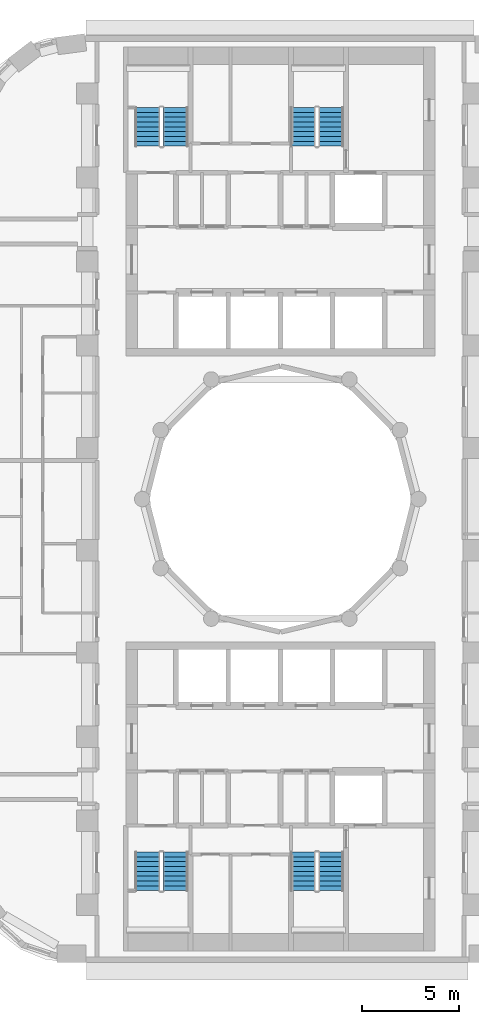
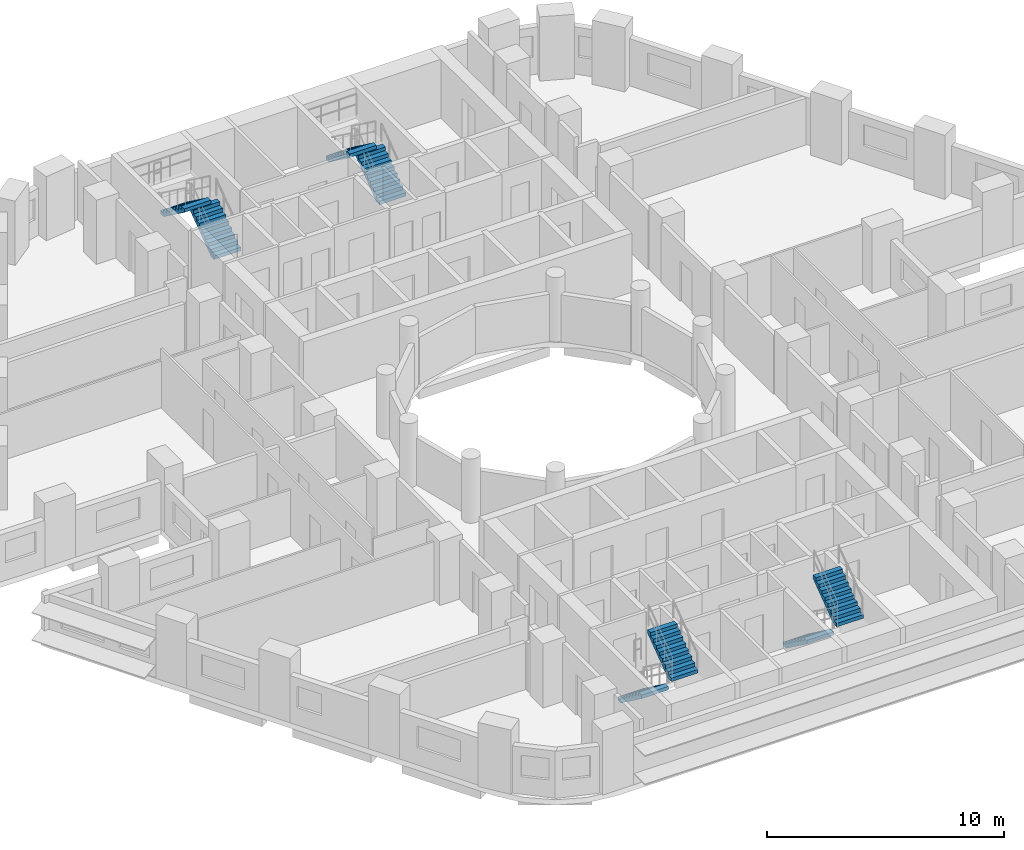
# One storey, part 9 of 12: 8 stair flights, 4 elements without a shape of their own.
"""IFC4 building model written with IfcOpenShell, lengths in metres."""

from ifc_helpers import new_model, si_unit, direction, frame, origin, place, context, subcontext, project, spatial, polyline, outline, extrude, material, type_object, element, aggregate, save


model = new_model("IFC4")

# Units and contexts
model_context = context("Model", 3, precision=1e-05, world=origin(), true_north=direction((0.0, 1.0)))
body_context = subcontext(model_context, "Body", "Model", "MODEL_VIEW")
ifc_project = project(units=[si_unit("LENGTHUNIT", "METRE"), si_unit("AREAUNIT", "SQUARE_METRE"), si_unit("VOLUMEUNIT", "CUBIC_METRE"), si_unit("PLANEANGLEUNIT", "RADIAN"), si_unit("MASSUNIT", "GRAM", prefix="KILO")], contexts=[model_context])

# Site, building, storey
site_placement = place(None, origin())
site = spatial("IfcSite", under=ifc_project, at=site_placement, CompositionType="ELEMENT")
building_placement = place(site_placement, origin())
building = spatial("IfcBuilding", under=site, at=building_placement, Name="Nakaniwa Court", CompositionType="ELEMENT")
storey_placement = place(building_placement, frame((0.0, 0.0, 51.300048828125)))
storey = spatial("IfcBuildingStorey", under=building, at=storey_placement, Name="L13", CompositionType="ELEMENT", Elevation=51.300048828125)

# Stair, stair flights
ifc_material = material(Name="Concrete C80/100", Category="concrete")
stair_type = type_object("IfcStairType", Name="Dog leg stair 1300 wide 18 risers", PredefinedType="HALF_TURN_STAIR", material=ifc_material)
stair_1_placement = place(storey_placement, origin())
stair_1 = element("IfcStair", 1, at=stair_1_placement, inside=storey, type_object=stair_type, Name="L13 Stair ST1", PredefinedType="HALF_TURN_STAIR")
stair_flight_type = type_object("IfcStairFlightType", Name="Stair flight 1300 wide 9 risers", PredefinedType="STRAIGHT", material=ifc_material)
stair_flight_1_placement = place(storey_placement, frame((74.574951171875, 98.27490234375, 0.0), z_axis=(0.0, 0.0, 1.0), x_axis=(0.0, 1.0, 0.0)))
stair_flight_1 = element("IfcStairFlight", 2, at=stair_flight_1_placement, type_object=stair_flight_type, Name="ST1 flight 1", NumberOfRisers=9, NumberOfTreads=8, PredefinedType="STRAIGHT", RiserHeight=0.183333333, TreadLength=0.25, context=body_context, shape_type="SweptSolid", body=[
    extrude(outline(polyline([(0.0, 0.0), (0.0, 0.026123046875), (0.0, 0.052490234375), (0.0, 0.07861328125), (0.0, 0.104736328125), (0.0, 0.130859375), (0.0, 0.1572265625), (0.0, 0.183349609375), (0.25, 0.183349609375), (0.25, 0.36669921875), (0.5, 0.36669921875), (0.5, 0.550048828125), (0.75, 0.550048828125), (0.75, 0.7333984375), (1.0, 0.7333984375), (1.0, 0.916748046875), (1.25, 0.916748046875), (1.25, 1.10009765625), (1.5, 1.10009765625), (1.5, 1.283447265625), (1.75, 1.283447265625), (1.75, 1.466552734375), (2.0, 1.466552734375), (2.0, 1.64990234375), (2.0, 1.59716796875), (2.0, 1.54443359375), (2.0, 1.49169921875), (2.0, 1.43896484375), (2.0, 1.38623046875), (2.0, 1.33349609375), (2.0, 1.28076171875), (0.25341796875, 0.0), (0.0, 0.0)])), frame((0.0, 0.64990234375, 0.0), z_axis=(0.0, -1.0, 0.0), x_axis=(1.0, 0.0, 0.0)), (0.0, 0.0, 1.0), 1.300048828125),
])
stair_flight_2_placement = place(storey_placement, frame((73.125, 100.27490234375, 1.64990234375), z_axis=(0.0, 0.0, 1.0), x_axis=(0.0, -1.0, 0.0)))
stair_flight_2 = element("IfcStairFlight", 3, at=stair_flight_2_placement, type_object=stair_flight_type, Name="ST1 flight 2", NumberOfRisers=9, NumberOfTreads=8, PredefinedType="STRAIGHT", RiserHeight=0.183333333, TreadLength=0.25, context=body_context, shape_type="SweptSolid", body=[
    extrude(outline(polyline([(0.0, 0.0), (0.0, 0.026123046875), (0.0, 0.052490234375), (0.0, 0.07861328125), (0.0, 0.104736328125), (0.0, 0.130859375), (0.0, 0.1572265625), (0.0, 0.183349609375), (0.25, 0.183349609375), (0.25, 0.36669921875), (0.5, 0.36669921875), (0.5, 0.550048828125), (0.75, 0.550048828125), (0.75, 0.7333984375), (1.0, 0.7333984375), (1.0, 0.916748046875), (1.25, 0.916748046875), (1.25, 1.10009765625), (1.5, 1.10009765625), (1.5, 1.283447265625), (1.75, 1.283447265625), (1.75, 1.466552734375), (2.0, 1.466552734375), (2.0, 1.64990234375), (2.0, 1.59716796875), (2.0, 1.54443359375), (2.0, 1.49169921875), (2.0, 1.43896484375), (2.0, 1.38623046875), (2.0, 1.33349609375), (2.0, 1.28076171875), (0.25341796875, 0.0), (0.0, 0.0)])), frame((0.0, 0.64990234375, 0.0), z_axis=(0.0, -1.0, 0.0), x_axis=(1.0, 0.0, 0.0)), (0.0, 0.0, 1.0), 1.300048828125),
])
aggregate(stair_1, [stair_flight_1, stair_flight_2])

stair_2_placement = place(storey_placement, origin())
stair_2 = element("IfcStair", 4, at=stair_2_placement, inside=storey, type_object=stair_type, Name="L13 Stair ST2", PredefinedType="HALF_TURN_STAIR")
stair_flight_3_placement = place(storey_placement, frame((82.625, 98.27490234375, 0.0), z_axis=(0.0, 0.0, 1.0), x_axis=(0.0, 1.0, 0.0)))
stair_flight_3 = element("IfcStairFlight", 5, at=stair_flight_3_placement, type_object=stair_flight_type, Name="ST2 flight 1", NumberOfRisers=9, NumberOfTreads=8, PredefinedType="STRAIGHT", RiserHeight=0.183333333, TreadLength=0.25, context=body_context, shape_type="SweptSolid", body=[
    extrude(outline(polyline([(0.0, 0.0), (0.0, 0.026123046875), (0.0, 0.052490234375), (0.0, 0.07861328125), (0.0, 0.104736328125), (0.0, 0.130859375), (0.0, 0.1572265625), (0.0, 0.183349609375), (0.25, 0.183349609375), (0.25, 0.36669921875), (0.5, 0.36669921875), (0.5, 0.550048828125), (0.75, 0.550048828125), (0.75, 0.7333984375), (1.0, 0.7333984375), (1.0, 0.916748046875), (1.25, 0.916748046875), (1.25, 1.10009765625), (1.5, 1.10009765625), (1.5, 1.283447265625), (1.75, 1.283447265625), (1.75, 1.466552734375), (2.0, 1.466552734375), (2.0, 1.64990234375), (2.0, 1.59716796875), (2.0, 1.54443359375), (2.0, 1.49169921875), (2.0, 1.43896484375), (2.0, 1.38623046875), (2.0, 1.33349609375), (2.0, 1.28076171875), (0.25341796875, 0.0), (0.0, 0.0)])), frame((0.0, 0.64990234375, 0.0), z_axis=(0.0, -1.0, 0.0), x_axis=(1.0, 0.0, 0.0)), (0.0, 0.0, 1.0), 1.300048828125),
])
stair_flight_4_placement = place(storey_placement, frame((81.175048828125, 100.27490234375, 1.64990234375), z_axis=(0.0, 0.0, 1.0), x_axis=(0.0, -1.0, 0.0)))
stair_flight_4 = element("IfcStairFlight", 6, at=stair_flight_4_placement, type_object=stair_flight_type, Name="ST2 flight 2", NumberOfRisers=9, NumberOfTreads=8, PredefinedType="STRAIGHT", RiserHeight=0.183333333, TreadLength=0.25, context=body_context, shape_type="SweptSolid", body=[
    extrude(outline(polyline([(0.0, 0.0), (0.0, 0.026123046875), (0.0, 0.052490234375), (0.0, 0.07861328125), (0.0, 0.104736328125), (0.0, 0.130859375), (0.0, 0.1572265625), (0.0, 0.183349609375), (0.25, 0.183349609375), (0.25, 0.36669921875), (0.5, 0.36669921875), (0.5, 0.550048828125), (0.75, 0.550048828125), (0.75, 0.7333984375), (1.0, 0.7333984375), (1.0, 0.916748046875), (1.25, 0.916748046875), (1.25, 1.10009765625), (1.5, 1.10009765625), (1.5, 1.283447265625), (1.75, 1.283447265625), (1.75, 1.466552734375), (2.0, 1.466552734375), (2.0, 1.64990234375), (2.0, 1.59716796875), (2.0, 1.54443359375), (2.0, 1.49169921875), (2.0, 1.43896484375), (2.0, 1.38623046875), (2.0, 1.33349609375), (2.0, 1.28076171875), (0.25341796875, 0.0), (0.0, 0.0)])), frame((0.0, 0.64990234375, 0.0), z_axis=(0.0, -1.0, 0.0), x_axis=(1.0, 0.0, 0.0)), (0.0, 0.0, 1.0), 1.300048828125),
])
aggregate(stair_2, [stair_flight_3, stair_flight_4])

stair_3_placement = place(storey_placement, origin())
stair_3 = element("IfcStair", 7, at=stair_3_placement, inside=storey, type_object=stair_type, Name="L13 Stair ST3", PredefinedType="HALF_TURN_STAIR")
stair_flight_5_placement = place(storey_placement, frame((73.125, 61.72509765625, 0.0), z_axis=(0.0, 0.0, 1.0), x_axis=(0.0, -1.0, 0.0)))
stair_flight_5 = element("IfcStairFlight", 8, at=stair_flight_5_placement, type_object=stair_flight_type, Name="ST3 flight 1", NumberOfRisers=9, NumberOfTreads=8, PredefinedType="STRAIGHT", RiserHeight=0.183333333, TreadLength=0.25, context=body_context, shape_type="SweptSolid", body=[
    extrude(outline(polyline([(0.0, 0.0), (0.0, 0.026123046875), (0.0, 0.052490234375), (0.0, 0.07861328125), (0.0, 0.104736328125), (0.0, 0.130859375), (0.0, 0.1572265625), (0.0, 0.183349609375), (0.25, 0.183349609375), (0.25, 0.36669921875), (0.5, 0.36669921875), (0.5, 0.550048828125), (0.75, 0.550048828125), (0.75, 0.7333984375), (1.0, 0.7333984375), (1.0, 0.916748046875), (1.25, 0.916748046875), (1.25, 1.10009765625), (1.5, 1.10009765625), (1.5, 1.283447265625), (1.75, 1.283447265625), (1.75, 1.466552734375), (2.0, 1.466552734375), (2.0, 1.64990234375), (2.0, 1.59716796875), (2.0, 1.54443359375), (2.0, 1.49169921875), (2.0, 1.43896484375), (2.0, 1.38623046875), (2.0, 1.33349609375), (2.0, 1.28076171875), (0.25341796875, 0.0), (0.0, 0.0)])), frame((0.0, 0.64990234375, 0.0), z_axis=(0.0, -1.0, 0.0), x_axis=(1.0, 0.0, 0.0)), (0.0, 0.0, 1.0), 1.300048828125),
])
stair_flight_6_placement = place(storey_placement, frame((74.574951171875, 59.72509765625, 1.64990234375), z_axis=(0.0, 0.0, 1.0), x_axis=(0.0, 1.0, 0.0)))
stair_flight_6 = element("IfcStairFlight", 9, at=stair_flight_6_placement, type_object=stair_flight_type, Name="ST3 flight 2", NumberOfRisers=9, NumberOfTreads=8, PredefinedType="STRAIGHT", RiserHeight=0.183333333, TreadLength=0.25, context=body_context, shape_type="SweptSolid", body=[
    extrude(outline(polyline([(0.0, 0.0), (0.0, 0.026123046875), (0.0, 0.052490234375), (0.0, 0.07861328125), (0.0, 0.104736328125), (0.0, 0.130859375), (0.0, 0.1572265625), (0.0, 0.183349609375), (0.25, 0.183349609375), (0.25, 0.36669921875), (0.5, 0.36669921875), (0.5, 0.550048828125), (0.75, 0.550048828125), (0.75, 0.7333984375), (1.0, 0.7333984375), (1.0, 0.916748046875), (1.25, 0.916748046875), (1.25, 1.10009765625), (1.5, 1.10009765625), (1.5, 1.283447265625), (1.75, 1.283447265625), (1.75, 1.466552734375), (2.0, 1.466552734375), (2.0, 1.64990234375), (2.0, 1.59716796875), (2.0, 1.54443359375), (2.0, 1.49169921875), (2.0, 1.43896484375), (2.0, 1.38623046875), (2.0, 1.33349609375), (2.0, 1.28076171875), (0.25341796875, 0.0), (0.0, 0.0)])), frame((0.0, 0.64990234375, 0.0), z_axis=(0.0, -1.0, 0.0), x_axis=(1.0, 0.0, 0.0)), (0.0, 0.0, 1.0), 1.300048828125),
])
aggregate(stair_3, [stair_flight_5, stair_flight_6])

stair_4_placement = place(storey_placement, origin())
stair_4 = element("IfcStair", 10, at=stair_4_placement, inside=storey, type_object=stair_type, Name="L13 Stair ST4", PredefinedType="HALF_TURN_STAIR")
stair_flight_7_placement = place(storey_placement, frame((81.175048828125, 61.72509765625, 0.0), z_axis=(0.0, 0.0, 1.0), x_axis=(0.0, -1.0, 0.0)))
stair_flight_7 = element("IfcStairFlight", 11, at=stair_flight_7_placement, type_object=stair_flight_type, Name="ST4 flight 1", NumberOfRisers=9, NumberOfTreads=8, PredefinedType="STRAIGHT", RiserHeight=0.183333333, TreadLength=0.25, context=body_context, shape_type="SweptSolid", body=[
    extrude(outline(polyline([(0.0, 0.0), (0.0, 0.026123046875), (0.0, 0.052490234375), (0.0, 0.07861328125), (0.0, 0.104736328125), (0.0, 0.130859375), (0.0, 0.1572265625), (0.0, 0.183349609375), (0.25, 0.183349609375), (0.25, 0.36669921875), (0.5, 0.36669921875), (0.5, 0.550048828125), (0.75, 0.550048828125), (0.75, 0.7333984375), (1.0, 0.7333984375), (1.0, 0.916748046875), (1.25, 0.916748046875), (1.25, 1.10009765625), (1.5, 1.10009765625), (1.5, 1.283447265625), (1.75, 1.283447265625), (1.75, 1.466552734375), (2.0, 1.466552734375), (2.0, 1.64990234375), (2.0, 1.59716796875), (2.0, 1.54443359375), (2.0, 1.49169921875), (2.0, 1.43896484375), (2.0, 1.38623046875), (2.0, 1.33349609375), (2.0, 1.28076171875), (0.25341796875, 0.0), (0.0, 0.0)])), frame((0.0, 0.64990234375, 0.0), z_axis=(0.0, -1.0, 0.0), x_axis=(1.0, 0.0, 0.0)), (0.0, 0.0, 1.0), 1.300048828125),
])
stair_flight_8_placement = place(storey_placement, frame((82.625, 59.72509765625, 1.64990234375), z_axis=(0.0, 0.0, 1.0), x_axis=(0.0, 1.0, 0.0)))
stair_flight_8 = element("IfcStairFlight", 12, at=stair_flight_8_placement, type_object=stair_flight_type, Name="ST4 flight 2", NumberOfRisers=9, NumberOfTreads=8, PredefinedType="STRAIGHT", RiserHeight=0.183333333, TreadLength=0.25, context=body_context, shape_type="SweptSolid", body=[
    extrude(outline(polyline([(0.0, 0.0), (0.0, 0.026123046875), (0.0, 0.052490234375), (0.0, 0.07861328125), (0.0, 0.104736328125), (0.0, 0.130859375), (0.0, 0.1572265625), (0.0, 0.183349609375), (0.25, 0.183349609375), (0.25, 0.36669921875), (0.5, 0.36669921875), (0.5, 0.550048828125), (0.75, 0.550048828125), (0.75, 0.7333984375), (1.0, 0.7333984375), (1.0, 0.916748046875), (1.25, 0.916748046875), (1.25, 1.10009765625), (1.5, 1.10009765625), (1.5, 1.283447265625), (1.75, 1.283447265625), (1.75, 1.466552734375), (2.0, 1.466552734375), (2.0, 1.64990234375), (2.0, 1.59716796875), (2.0, 1.54443359375), (2.0, 1.49169921875), (2.0, 1.43896484375), (2.0, 1.38623046875), (2.0, 1.33349609375), (2.0, 1.28076171875), (0.25341796875, 0.0), (0.0, 0.0)])), frame((0.0, 0.64990234375, 0.0), z_axis=(0.0, -1.0, 0.0), x_axis=(1.0, 0.0, 0.0)), (0.0, 0.0, 1.0), 1.300048828125),
])
aggregate(stair_4, [stair_flight_7, stair_flight_8])

save(model, "model.ifc")
